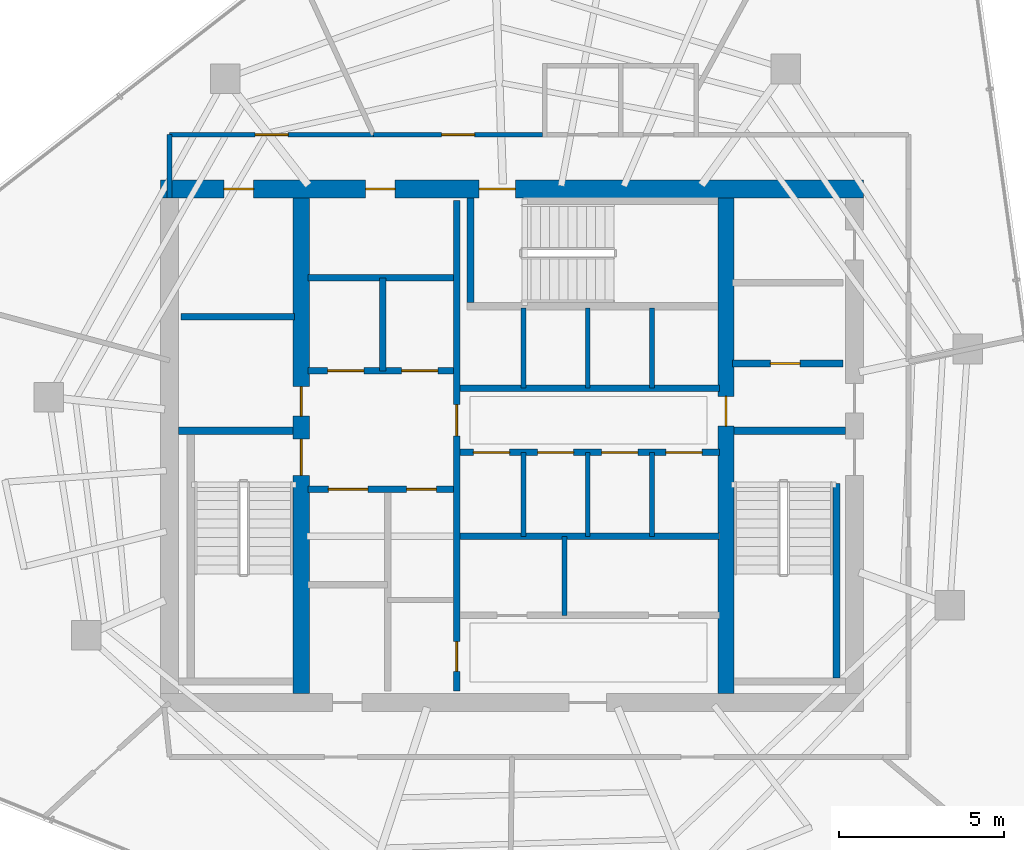
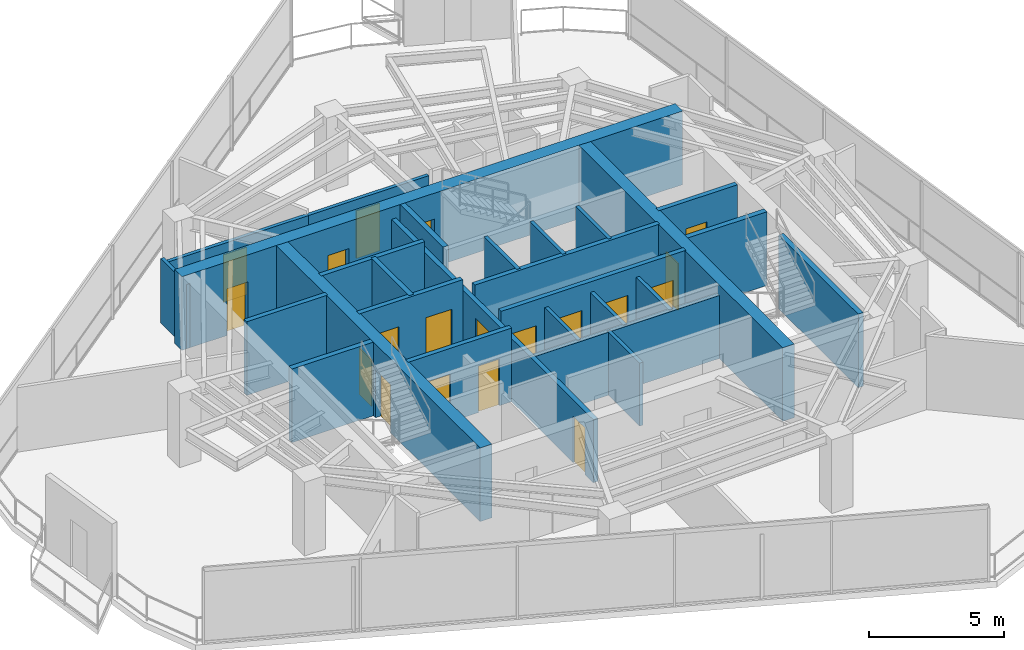
# One storey, part 16 of 19: 27 walls, 19 doors, 19 openings.
"""IFC4 building model written with IfcOpenShell, lengths in metres."""

from ifc_helpers import new_model, si_unit, direction, frame, frame_2d, origin, place, context, subcontext, project, spatial, rectangle, extrude, material, layer, layer_set, type_object, element, fill, save


model = new_model("IFC4")

# Units and contexts
model_context = context("Model", 3, precision=1e-05, world=origin(), true_north=direction((0.0, 1.0)))
body_context = subcontext(model_context, "Body", "Model", "MODEL_VIEW")
ifc_project = project(units=[si_unit("LENGTHUNIT", "METRE"), si_unit("AREAUNIT", "SQUARE_METRE"), si_unit("VOLUMEUNIT", "CUBIC_METRE"), si_unit("PLANEANGLEUNIT", "RADIAN"), si_unit("MASSUNIT", "GRAM", prefix="KILO")], contexts=[model_context])

# Site, building, storey
site_placement = place(None, origin())
site = spatial("IfcSite", under=ifc_project, at=site_placement, CompositionType="ELEMENT")
building_placement = place(site_placement, origin())
building = spatial("IfcBuilding", under=site, at=building_placement, Name="Qarnah Convention Tower", CompositionType="ELEMENT")
storey_placement = place(building_placement, frame((0.0, 0.0, 209.39990234375)))
storey = spatial("IfcBuildingStorey", under=building, at=storey_placement, Name="L56", CompositionType="ELEMENT", Elevation=209.39990234375)

# Wall, openings, doors
ifc_material_1 = material(Name="Concrete C60/75", Category="concrete")
ifc_layer_1 = layer(ifc_material_1, 0.550048828125)
ifc_layer_set_1 = layer_set([ifc_layer_1], Name="Concrete C60/75")
wall_type_1 = type_object("IfcWallType", Name="WL-CORE-550", PredefinedType="SHEAR", material=ifc_layer_set_1)
wall_1_placement = place(storey_placement, frame((26.52490234375, 34.199951171875, 0.0), z_axis=(0.0, 0.0, 1.0), x_axis=(1.0, 0.0, 0.0)))
wall_1 = element("IfcWall", 1, at=wall_1_placement, inside=storey, type_object=wall_type_1, Name="L56 core north shear wall", PredefinedType="SHEAR", context=body_context, shape_type="SweptSolid", body=[
    extrude(rectangle(XDim=21.35009765625, YDim=0.550048828125, at=frame_2d((10.675048828125, 0.0))), origin(), (0.0, 0.0, 1.0), 3.320068359375),
])
opening_1_placement = place(wall_1_placement, frame((9.675048828125, 0.0, 0.0)))
opening_1 = element("IfcOpeningElement", 2, at=opening_1_placement, cuts=wall_1, Name="Opening D-5603", PredefinedType="OPENING", context=body_context, shape_type="SweptSolid", body=[
    extrude(rectangle(XDim=1.10009765625, YDim=2.14990234375, at=frame_2d((0.550048828125, 1.074951171875))), frame((0.0, 0.284912109375, 0.0), z_axis=(0.0, -1.0, 0.0), x_axis=(1.0, 0.0, 0.0)), (0.0, 0.0, 1.0), 0.570068359375),
])
opening_2_placement = place(wall_1_placement, frame((1.925048828125, 0.0, 0.0)))
opening_2 = element("IfcOpeningElement", 3, at=opening_2_placement, cuts=wall_1, Name="Opening D-5609", PredefinedType="OPENING", context=body_context, shape_type="SweptSolid", body=[
    extrude(rectangle(XDim=0.89990234375, YDim=2.10009765625, at=frame_2d((0.449951171875, 1.050048828125))), frame((0.0, 0.284912109375, 0.0), z_axis=(0.0, -1.0, 0.0), x_axis=(1.0, 0.0, 0.0)), (0.0, 0.0, 1.0), 0.570068359375),
])
opening_3_placement = place(wall_1_placement, frame((6.22509765625, 0.0, 0.0)))
opening_3 = element("IfcOpeningElement", 4, at=opening_3_placement, cuts=wall_1, Name="Opening D-5610", PredefinedType="OPENING", context=body_context, shape_type="SweptSolid", body=[
    extrude(rectangle(XDim=0.89990234375, YDim=2.10009765625, at=frame_2d((0.449951171875, 1.050048828125))), frame((0.0, 0.284912109375, 0.0), z_axis=(0.0, -1.0, 0.0), x_axis=(1.0, 0.0, 0.0)), (0.0, 0.0, 1.0), 0.570068359375),
])
ifc_material_2 = material(Name="Structural steel S355JR", Category="steel")
door_type_1 = type_object("IfcDoorType", Name="DT-RISER-900", OperationType="NOTDEFINED", PredefinedType="DOOR", material=ifc_material_2)
door_1_placement = place(opening_2_placement, origin())
door_1 = element("IfcDoor", 5, at=door_1_placement, inside=storey, type_object=door_type_1, Name="Door D-5609", OperationType="SINGLE_SWING_LEFT", OverallHeight=2.10009765625, OverallWidth=0.89990234375, PredefinedType="DOOR", context=body_context, shape_type="SweptSolid", body=[
    extrude(rectangle(XDim=0.89990234375, YDim=2.10009765625, at=frame_2d((0.449951171875, 1.050048828125))), frame((0.0, 0.02490234375, 0.0), z_axis=(0.0, -1.0, 0.0), x_axis=(1.0, 0.0, 0.0)), (0.0, 0.0, 1.0), 0.050048828125),
])
fill(opening_2, door_1)
door_2_placement = place(opening_3_placement, origin())
door_2 = element("IfcDoor", 6, at=door_2_placement, inside=storey, type_object=door_type_1, Name="Door D-5610", OperationType="SINGLE_SWING_RIGHT", OverallHeight=2.10009765625, OverallWidth=0.89990234375, PredefinedType="DOOR", context=body_context, shape_type="SweptSolid", body=[
    extrude(rectangle(XDim=0.89990234375, YDim=2.10009765625, at=frame_2d((0.449951171875, 1.050048828125))), frame((0.0, 0.02490234375, 0.0), z_axis=(0.0, -1.0, 0.0), x_axis=(1.0, 0.0, 0.0)), (0.0, 0.0, 1.0), 0.050048828125),
])
fill(opening_3, door_2)
door_type_2 = type_object("IfcDoorType", Name="DT-STAIR-1100", OperationType="NOTDEFINED", PredefinedType="DOOR", material=ifc_material_2)
door_3_placement = place(opening_1_placement, origin())
door_3 = element("IfcDoor", 7, at=door_3_placement, inside=storey, type_object=door_type_2, Name="Door D-5603", OperationType="SINGLE_SWING_LEFT", OverallHeight=2.14990234375, OverallWidth=1.10009765625, PredefinedType="DOOR", context=body_context, shape_type="SweptSolid", body=[
    extrude(rectangle(XDim=1.10009765625, YDim=2.14990234375, at=frame_2d((0.550048828125, 1.074951171875))), frame((0.0, 0.02490234375, 0.0), z_axis=(0.0, -1.0, 0.0), x_axis=(1.0, 0.0, 0.0)), (0.0, 0.0, 1.0), 0.050048828125),
])
fill(opening_1, door_3)

ifc_layer_2 = layer(ifc_material_1, 0.5)
ifc_layer_set_2 = layer_set([ifc_layer_2], Name="Concrete C60/75")
wall_type_2 = type_object("IfcWallType", Name="WL-CORE-INT-400", PredefinedType="SHEAR", material=ifc_layer_set_2)
wall_2_placement = place(storey_placement, frame((30.800048828125, 18.875, 0.0), z_axis=(0.0, 0.0, 1.0), x_axis=(0.0, 1.0, 0.0)))
wall_2 = element("IfcWall", 8, at=wall_2_placement, inside=storey, type_object=wall_type_2, Name="L56 core west spine shear wall", PredefinedType="SHEAR", context=body_context, shape_type="SweptSolid", body=[
    extrude(rectangle(XDim=15.050048828125, YDim=0.5, at=frame_2d((7.52490234375, 0.0))), origin(), (0.0, 0.0, 1.0), 3.320068359375),
])
opening_4_placement = place(wall_2_placement, frame((6.625, 0.0, 0.0)))
opening_4 = element("IfcOpeningElement", 9, at=opening_4_placement, cuts=wall_2, Name="Opening D-5601", PredefinedType="OPENING", context=body_context, shape_type="SweptSolid", body=[
    extrude(rectangle(XDim=1.10009765625, YDim=2.14990234375, at=frame_2d((0.550048828125, 1.074951171875))), frame((0.0, 0.260009765625, 0.0), z_axis=(0.0, -1.0, 0.0), x_axis=(1.0, 0.0, 0.0)), (0.0, 0.0, 1.0), 0.52001953125),
])
opening_5_placement = place(wall_2_placement, frame((8.425048828125, 0.0, 0.0)))
opening_5 = element("IfcOpeningElement", 10, at=opening_5_placement, cuts=wall_2, Name="Opening D-5608", PredefinedType="OPENING", context=body_context, shape_type="SweptSolid", body=[
    extrude(rectangle(XDim=0.89990234375, YDim=2.10009765625, at=frame_2d((0.449951171875, 1.050048828125))), frame((0.0, 0.260009765625, 0.0), z_axis=(0.0, -1.0, 0.0), x_axis=(1.0, 0.0, 0.0)), (0.0, 0.0, 1.0), 0.52001953125),
])
door_4_placement = place(opening_5_placement, origin())
door_4 = element("IfcDoor", 11, at=door_4_placement, inside=storey, type_object=door_type_1, Name="Door D-5608", OperationType="SINGLE_SWING_RIGHT", OverallHeight=2.10009765625, OverallWidth=0.89990234375, PredefinedType="DOOR", context=body_context, shape_type="SweptSolid", body=[
    extrude(rectangle(XDim=0.89990234375, YDim=2.10009765625, at=frame_2d((0.449951171875, 1.050048828125))), frame((0.0, 0.02490234375, 0.0), z_axis=(0.0, -1.0, 0.0), x_axis=(1.0, 0.0, 0.0)), (0.0, 0.0, 1.0), 0.050048828125),
])
fill(opening_5, door_4)
door_5_placement = place(opening_4_placement, origin())
door_5 = element("IfcDoor", 12, at=door_5_placement, inside=storey, type_object=door_type_2, Name="Door D-5601", OperationType="SINGLE_SWING_LEFT", OverallHeight=2.14990234375, OverallWidth=1.10009765625, PredefinedType="DOOR", context=body_context, shape_type="SweptSolid", body=[
    extrude(rectangle(XDim=1.10009765625, YDim=2.14990234375, at=frame_2d((0.550048828125, 1.074951171875))), frame((0.0, 0.02490234375, 0.0), z_axis=(0.0, -1.0, 0.0), x_axis=(1.0, 0.0, 0.0)), (0.0, 0.0, 1.0), 0.050048828125),
])
fill(opening_4, door_5)

# Wall, opening, door
wall_3_placement = place(storey_placement, frame((43.699951171875, 18.875, 0.0), z_axis=(0.0, 0.0, 1.0), x_axis=(0.0, 1.0, 0.0)))
wall_3 = element("IfcWall", 13, at=wall_3_placement, inside=storey, type_object=wall_type_2, Name="L56 core east spine shear wall", PredefinedType="SHEAR", context=body_context, shape_type="SweptSolid", body=[
    extrude(rectangle(XDim=15.050048828125, YDim=0.5, at=frame_2d((7.52490234375, 0.0))), origin(), (0.0, 0.0, 1.0), 3.320068359375),
])
opening_6_placement = place(wall_3_placement, frame((8.125, 0.0, 0.0)))
opening_6 = element("IfcOpeningElement", 14, at=opening_6_placement, cuts=wall_3, Name="Opening D-5605", PredefinedType="OPENING", context=body_context, shape_type="SweptSolid", body=[
    extrude(rectangle(XDim=0.89990234375, YDim=2.10009765625, at=frame_2d((0.449951171875, 1.050048828125))), frame((0.0, 0.260009765625, 0.0), z_axis=(0.0, -1.0, 0.0), x_axis=(1.0, 0.0, 0.0)), (0.0, 0.0, 1.0), 0.52001953125),
])
door_6_placement = place(opening_6_placement, origin())
door_6 = element("IfcDoor", 15, at=door_6_placement, inside=storey, type_object=door_type_1, Name="Door D-5605", OperationType="SINGLE_SWING_LEFT", OverallHeight=2.10009765625, OverallWidth=0.89990234375, PredefinedType="DOOR", context=body_context, shape_type="SweptSolid", body=[
    extrude(rectangle(XDim=0.89990234375, YDim=2.10009765625, at=frame_2d((0.449951171875, 1.050048828125))), frame((0.0, 0.02490234375, 0.0), z_axis=(0.0, -1.0, 0.0), x_axis=(1.0, 0.0, 0.0)), (0.0, 0.0, 1.0), 0.050048828125),
])
fill(opening_6, door_6)

# Wall
ifc_material_3 = material(Name="Concrete C45/55", Category="concrete")
ifc_layer_3 = layer(ifc_material_3, 0.199951171875)
ifc_layer_set_3 = layer_set([ifc_layer_3], Name="Concrete C45/55")
wall_type_3 = type_object("IfcWallType", Name="WL-CORE-PART-200", PredefinedType="SOLIDWALL", material=ifc_layer_set_3)
wall_4_placement = place(storey_placement, frame((27.14990234375, 30.320068359375, 0.0), z_axis=(0.0, 0.0, 1.0), x_axis=(1.0, 0.0, 0.0)))
element("IfcWall", 16, at=wall_4_placement, inside=storey, type_object=wall_type_3, Name="L56 interior wall IW-L56-ELRN", PredefinedType="SOLIDWALL", context=body_context, shape_type="SweptSolid", body=[
    extrude(rectangle(XDim=3.4501953125, YDim=0.199951171875, at=frame_2d((1.72509765625, 0.0))), origin(), (0.0, 0.0, 1.0), 3.320068359375),
])

# Wall, opening, door
wall_5_placement = place(storey_placement, frame((43.89990234375, 28.89990234375, 0.0), z_axis=(0.0, 0.0, 1.0), x_axis=(1.0, 0.0, 0.0)))
wall_5 = element("IfcWall", 17, at=wall_5_placement, inside=storey, type_object=wall_type_3, Name="L56 interior wall IW-L56-EVSTN", PredefinedType="SOLIDWALL", context=body_context, shape_type="SweptSolid", body=[
    extrude(rectangle(XDim=3.35009765625, YDim=0.199951171875, at=frame_2d((1.675048828125, 0.0))), origin(), (0.0, 0.0, 1.0), 3.320068359375),
])
opening_7_placement = place(wall_5_placement, frame((1.14990234375, 0.0, 0.0)))
opening_7 = element("IfcOpeningElement", 18, at=opening_7_placement, cuts=wall_5, Name="Opening D-5611", PredefinedType="OPENING", context=body_context, shape_type="SweptSolid", body=[
    extrude(rectangle(XDim=0.89990234375, YDim=2.10009765625, at=frame_2d((0.449951171875, 1.050048828125))), frame((0.0, 0.10986328125, 0.0), z_axis=(0.0, -1.0, 0.0), x_axis=(1.0, 0.0, 0.0)), (0.0, 0.0, 1.0), 0.219970703125),
])
door_7_placement = place(opening_7_placement, origin())
door_7 = element("IfcDoor", 19, at=door_7_placement, inside=storey, type_object=door_type_1, Name="Door D-5611", OperationType="SINGLE_SWING_LEFT", OverallHeight=2.10009765625, OverallWidth=0.89990234375, PredefinedType="DOOR", context=body_context, shape_type="SweptSolid", body=[
    extrude(rectangle(XDim=0.89990234375, YDim=2.10009765625, at=frame_2d((0.449951171875, 1.050048828125))), frame((0.0, 0.02490234375, 0.0), z_axis=(0.0, -1.0, 0.0), x_axis=(1.0, 0.0, 0.0)), (0.0, 0.0, 1.0), 0.050048828125),
])
fill(opening_7, door_7)

# Wall, openings, doors
wall_6_placement = place(storey_placement, frame((35.52001953125, 18.949951171875, 0.0), z_axis=(0.0, 0.0, 1.0), x_axis=(0.0, 1.0, 0.0)))
wall_6 = element("IfcWall", 20, at=wall_6_placement, inside=storey, type_object=wall_type_3, Name="L56 interior wall IW-L56-CSP", PredefinedType="SOLIDWALL", context=body_context, shape_type="SweptSolid", body=[
    extrude(rectangle(XDim=14.900146484375, YDim=0.199951171875, at=frame_2d((7.4501953125, 0.0))), origin(), (0.0, 0.0, 1.0), 2.841064453125),
])
opening_8_placement = place(wall_6_placement, frame((7.7548828125, 0.0, 0.0)))
opening_8 = element("IfcOpeningElement", 21, at=opening_8_placement, cuts=wall_6, Name="Opening D-5604", PredefinedType="OPENING", context=body_context, shape_type="SweptSolid", body=[
    extrude(rectangle(XDim=0.949951171875, YDim=2.14990234375, at=frame_2d((0.47509765625, 1.074951171875))), frame((0.0, 0.10986328125, 0.0), z_axis=(0.0, -1.0, 0.0), x_axis=(1.0, 0.0, 0.0)), (0.0, 0.0, 1.0), 0.219970703125),
])
opening_9_placement = place(wall_6_placement, frame((0.60009765625, 0.0, 0.0)))
opening_9 = element("IfcOpeningElement", 22, at=opening_9_placement, cuts=wall_6, Name="Opening D-5614", PredefinedType="OPENING", context=body_context, shape_type="SweptSolid", body=[
    extrude(rectangle(XDim=0.89990234375, YDim=2.10009765625, at=frame_2d((0.449951171875, 1.050048828125))), frame((0.0, 0.10986328125, 0.0), z_axis=(0.0, -1.0, 0.0), x_axis=(1.0, 0.0, 0.0)), (0.0, 0.0, 1.0), 0.219970703125),
])
ifc_material_4 = material(Name="Oak timber veneer", Category="wood")
door_type_3 = type_object("IfcDoorType", Name="DT-HOTEL-950", OperationType="NOTDEFINED", PredefinedType="DOOR", material=ifc_material_4)
door_8_placement = place(opening_8_placement, origin())
door_8 = element("IfcDoor", 23, at=door_8_placement, inside=storey, type_object=door_type_3, Name="Door D-5604", OperationType="SINGLE_SWING_RIGHT", OverallHeight=2.14990234375, OverallWidth=0.949951171875, PredefinedType="DOOR", context=body_context, shape_type="SweptSolid", body=[
    extrude(rectangle(XDim=0.949951171875, YDim=2.14990234375, at=frame_2d((0.47509765625, 1.074951171875))), frame((0.0, 0.02490234375, 0.0), z_axis=(0.0, -1.0, 0.0), x_axis=(1.0, 0.0, 0.0)), (0.0, 0.0, 1.0), 0.050048828125),
])
fill(opening_8, door_8)
door_9_placement = place(opening_9_placement, origin())
door_9 = element("IfcDoor", 24, at=door_9_placement, inside=storey, type_object=door_type_1, Name="Door D-5614", OperationType="SINGLE_SWING_RIGHT", OverallHeight=2.10009765625, OverallWidth=0.89990234375, PredefinedType="DOOR", context=body_context, shape_type="SweptSolid", body=[
    extrude(rectangle(XDim=0.89990234375, YDim=2.10009765625, at=frame_2d((0.449951171875, 1.050048828125))), frame((0.0, 0.02490234375, 0.0), z_axis=(0.0, -1.0, 0.0), x_axis=(1.0, 0.0, 0.0)), (0.0, 0.0, 1.0), 0.050048828125),
])
fill(opening_9, door_9)

wall_7_placement = place(storey_placement, frame((31.0, 28.679931640625, 0.0), z_axis=(0.0, 0.0, 1.0), x_axis=(1.0, 0.0, 0.0)))
wall_7 = element("IfcWall", 25, at=wall_7_placement, inside=storey, type_object=wall_type_3, Name="L56 interior wall IW-L56-FFLS", PredefinedType="SOLIDWALL", context=body_context, shape_type="SweptSolid", body=[
    extrude(rectangle(XDim=4.419921875, YDim=0.199951171875, at=frame_2d((2.2099609375, 0.0))), origin(), (0.0, 0.0, 1.0), 3.320068359375),
])
opening_10_placement = place(wall_7_placement, frame((0.60009765625, 0.0, 0.0)))
opening_10 = element("IfcOpeningElement", 26, at=opening_10_placement, cuts=wall_7, Name="Opening LD-5601", PredefinedType="OPENING", context=body_context, shape_type="SweptSolid", body=[
    extrude(rectangle(XDim=1.10009765625, YDim=2.14990234375, at=frame_2d((0.550048828125, 1.074951171875))), frame((0.0, 0.10986328125, 0.0), z_axis=(0.0, -1.0, 0.0), x_axis=(1.0, 0.0, 0.0)), (0.0, 0.0, 1.0), 0.219970703125),
])
opening_11_placement = place(wall_7_placement, frame((2.85009765625, 0.0, 0.0)))
opening_11 = element("IfcOpeningElement", 27, at=opening_11_placement, cuts=wall_7, Name="Opening LD-5602", PredefinedType="OPENING", context=body_context, shape_type="SweptSolid", body=[
    extrude(rectangle(XDim=1.10009765625, YDim=2.14990234375, at=frame_2d((0.550048828125, 1.074951171875))), frame((0.0, 0.10986328125, 0.0), z_axis=(0.0, -1.0, 0.0), x_axis=(1.0, 0.0, 0.0)), (0.0, 0.0, 1.0), 0.219970703125),
])
door_type_4 = type_object("IfcDoorType", Name="DT-LIFT-1100", OperationType="SLIDING_TO_LEFT", PredefinedType="DOOR", material=ifc_material_2)
door_10_placement = place(opening_10_placement, origin())
door_10 = element("IfcDoor", 28, at=door_10_placement, inside=storey, type_object=door_type_4, Name="Door LD-5601", OperationType="SLIDING_TO_LEFT", OverallHeight=2.14990234375, OverallWidth=1.10009765625, PredefinedType="DOOR", context=body_context, shape_type="SweptSolid", body=[
    extrude(rectangle(XDim=1.10009765625, YDim=2.14990234375, at=frame_2d((0.550048828125, 1.074951171875))), frame((0.0, 0.02490234375, 0.0), z_axis=(0.0, -1.0, 0.0), x_axis=(1.0, 0.0, 0.0)), (0.0, 0.0, 1.0), 0.050048828125),
])
fill(opening_10, door_10)
door_11_placement = place(opening_11_placement, origin())
door_11 = element("IfcDoor", 29, at=door_11_placement, inside=storey, type_object=door_type_4, Name="Door LD-5602", OperationType="SLIDING_TO_LEFT", OverallHeight=2.14990234375, OverallWidth=1.10009765625, PredefinedType="DOOR", context=body_context, shape_type="SweptSolid", body=[
    extrude(rectangle(XDim=1.10009765625, YDim=2.14990234375, at=frame_2d((0.550048828125, 1.074951171875))), frame((0.0, 0.02490234375, 0.0), z_axis=(0.0, -1.0, 0.0), x_axis=(1.0, 0.0, 0.0)), (0.0, 0.0, 1.0), 0.050048828125),
])
fill(opening_11, door_11)

# Walls
wall_8_placement = place(storey_placement, frame((31.0, 31.5, 0.0), z_axis=(0.0, 0.0, 1.0), x_axis=(1.0, 0.0, 0.0)))
element("IfcWall", 30, at=wall_8_placement, inside=storey, type_object=wall_type_3, Name="L56 interior wall IW-L56-FFLN", PredefinedType="SOLIDWALL", context=body_context, shape_type="SweptSolid", body=[
    extrude(rectangle(XDim=4.419921875, YDim=0.199951171875, at=frame_2d((2.2099609375, 0.0))), origin(), (0.0, 0.0, 1.0), 3.320068359375),
])
wall_9_placement = place(storey_placement, frame((33.280029296875, 28.679931640625, 0.0), z_axis=(0.0, 0.0, 1.0), x_axis=(0.0, 1.0, 0.0)))
element("IfcWall", 31, at=wall_9_placement, inside=storey, type_object=wall_type_3, Name="L56 interior wall IW-L56-FFLM", PredefinedType="SOLIDWALL", context=body_context, shape_type="SweptSolid", body=[
    extrude(rectangle(XDim=2.820068359375, YDim=0.199951171875, at=frame_2d((1.41015625, 0.0))), origin(), (0.0, 0.0, 1.0), 3.320068359375),
])

# Wall, openings, doors
wall_10_placement = place(storey_placement, frame((31.0, 25.080078125, 0.0), z_axis=(0.0, 0.0, 1.0), x_axis=(1.0, 0.0, 0.0)))
wall_10 = element("IfcWall", 32, at=wall_10_placement, inside=storey, type_object=wall_type_3, Name="L56 interior wall IW-L56-FFLBS", PredefinedType="SOLIDWALL", context=body_context, shape_type="SweptSolid", body=[
    extrude(rectangle(XDim=4.419921875, YDim=0.199951171875, at=frame_2d((2.2099609375, 0.0))), origin(), (0.0, 0.0, 1.0), 3.320068359375),
])
opening_12_placement = place(wall_10_placement, frame((3.0, 0.0, 0.0)))
opening_12 = element("IfcOpeningElement", 33, at=opening_12_placement, cuts=wall_10, Name="Opening D-5615", PredefinedType="OPENING", context=body_context, shape_type="SweptSolid", body=[
    extrude(rectangle(XDim=0.89990234375, YDim=2.10009765625, at=frame_2d((0.449951171875, 1.050048828125))), frame((0.0, 0.10986328125, 0.0), z_axis=(0.0, -1.0, 0.0), x_axis=(1.0, 0.0, 0.0)), (0.0, 0.0, 1.0), 0.219970703125),
])
opening_13_placement = place(wall_10_placement, frame((0.6201171875, 0.0, 0.0)))
opening_13 = element("IfcOpeningElement", 34, at=opening_13_placement, cuts=wall_10, Name="Opening LD-5603", PredefinedType="OPENING", context=body_context, shape_type="SweptSolid", body=[
    extrude(rectangle(XDim=1.199951171875, YDim=2.14990234375, at=frame_2d((0.60009765625, 1.074951171875))), frame((0.0, 0.10986328125, 0.0), z_axis=(0.0, -1.0, 0.0), x_axis=(1.0, 0.0, 0.0)), (0.0, 0.0, 1.0), 0.219970703125),
])
door_type_5 = type_object("IfcDoorType", Name="DT-LIFT-1200", OperationType="SLIDING_TO_LEFT", PredefinedType="DOOR", material=ifc_material_2)
door_12_placement = place(opening_13_placement, origin())
door_12 = element("IfcDoor", 35, at=door_12_placement, inside=storey, type_object=door_type_5, Name="Door LD-5603", OperationType="SLIDING_TO_LEFT", OverallHeight=2.14990234375, OverallWidth=1.199951171875, PredefinedType="DOOR", context=body_context, shape_type="SweptSolid", body=[
    extrude(rectangle(XDim=1.199951171875, YDim=2.14990234375, at=frame_2d((0.60009765625, 1.074951171875))), frame((0.0, 0.02490234375, 0.0), z_axis=(0.0, -1.0, 0.0), x_axis=(1.0, 0.0, 0.0)), (0.0, 0.0, 1.0), 0.050048828125),
])
fill(opening_13, door_12)
door_13_placement = place(opening_12_placement, origin())
door_13 = element("IfcDoor", 36, at=door_13_placement, inside=storey, type_object=door_type_1, Name="Door D-5615", OperationType="SINGLE_SWING_LEFT", OverallHeight=2.10009765625, OverallWidth=0.89990234375, PredefinedType="DOOR", context=body_context, shape_type="SweptSolid", body=[
    extrude(rectangle(XDim=0.89990234375, YDim=2.10009765625, at=frame_2d((0.449951171875, 1.050048828125))), frame((0.0, 0.02490234375, 0.0), z_axis=(0.0, -1.0, 0.0), x_axis=(1.0, 0.0, 0.0)), (0.0, 0.0, 1.0), 0.050048828125),
])
fill(opening_12, door_13)

# Wall
wall_11_placement = place(storey_placement, frame((35.6201171875, 28.14990234375, 0.0), z_axis=(0.0, 0.0, 1.0), x_axis=(1.0, 0.0, 0.0)))
element("IfcWall", 37, at=wall_11_placement, inside=storey, type_object=wall_type_3, Name="L56 interior wall IW-L56-PHS", PredefinedType="SOLIDWALL", context=body_context, shape_type="SweptSolid", body=[
    extrude(rectangle(XDim=7.8798828125, YDim=0.199951171875, at=frame_2d((3.93994140625, 0.0))), origin(), (0.0, 0.0, 1.0), 3.320068359375),
])

# Wall, openings, doors
wall_12_placement = place(storey_placement, frame((35.6201171875, 26.199951171875, 0.0), z_axis=(0.0, 0.0, 1.0), x_axis=(1.0, 0.0, 0.0)))
wall_12 = element("IfcWall", 38, at=wall_12_placement, inside=storey, type_object=wall_type_3, Name="L56 interior wall IW-L56-PMN", PredefinedType="SOLIDWALL", context=body_context, shape_type="SweptSolid", body=[
    extrude(rectangle(XDim=7.8798828125, YDim=0.199951171875, at=frame_2d((3.93994140625, 0.0))), origin(), (0.0, 0.0, 1.0), 3.320068359375),
])
opening_14_placement = place(wall_12_placement, frame((0.405029296875, 0.0, 0.0)))
opening_14 = element("IfcOpeningElement", 39, at=opening_14_placement, cuts=wall_12, Name="Opening LD-5604", PredefinedType="OPENING", context=body_context, shape_type="SweptSolid", body=[
    extrude(rectangle(XDim=1.10009765625, YDim=2.14990234375, at=frame_2d((0.550048828125, 1.074951171875))), frame((0.0, 0.10986328125, 0.0), z_axis=(0.0, -1.0, 0.0), x_axis=(1.0, 0.0, 0.0)), (0.0, 0.0, 1.0), 0.219970703125),
])
opening_15_placement = place(wall_12_placement, frame((2.35498046875, 0.0, 0.0)))
opening_15 = element("IfcOpeningElement", 40, at=opening_15_placement, cuts=wall_12, Name="Opening LD-5605", PredefinedType="OPENING", context=body_context, shape_type="SweptSolid", body=[
    extrude(rectangle(XDim=1.10009765625, YDim=2.14990234375, at=frame_2d((0.550048828125, 1.074951171875))), frame((0.0, 0.10986328125, 0.0), z_axis=(0.0, -1.0, 0.0), x_axis=(1.0, 0.0, 0.0)), (0.0, 0.0, 1.0), 0.219970703125),
])
opening_16_placement = place(wall_12_placement, frame((4.304931640625, 0.0, 0.0)))
opening_16 = element("IfcOpeningElement", 41, at=opening_16_placement, cuts=wall_12, Name="Opening LD-5606", PredefinedType="OPENING", context=body_context, shape_type="SweptSolid", body=[
    extrude(rectangle(XDim=1.10009765625, YDim=2.14990234375, at=frame_2d((0.550048828125, 1.074951171875))), frame((0.0, 0.10986328125, 0.0), z_axis=(0.0, -1.0, 0.0), x_axis=(1.0, 0.0, 0.0)), (0.0, 0.0, 1.0), 0.219970703125),
])
opening_17_placement = place(wall_12_placement, frame((6.2548828125, 0.0, 0.0)))
opening_17 = element("IfcOpeningElement", 42, at=opening_17_placement, cuts=wall_12, Name="Opening LD-5607", PredefinedType="OPENING", context=body_context, shape_type="SweptSolid", body=[
    extrude(rectangle(XDim=1.10009765625, YDim=2.14990234375, at=frame_2d((0.550048828125, 1.074951171875))), frame((0.0, 0.10986328125, 0.0), z_axis=(0.0, -1.0, 0.0), x_axis=(1.0, 0.0, 0.0)), (0.0, 0.0, 1.0), 0.219970703125),
])
door_14_placement = place(opening_14_placement, origin())
door_14 = element("IfcDoor", 43, at=door_14_placement, inside=storey, type_object=door_type_4, Name="Door LD-5604", OperationType="SLIDING_TO_LEFT", OverallHeight=2.14990234375, OverallWidth=1.10009765625, PredefinedType="DOOR", context=body_context, shape_type="SweptSolid", body=[
    extrude(rectangle(XDim=1.10009765625, YDim=2.14990234375, at=frame_2d((0.550048828125, 1.074951171875))), frame((0.0, 0.02490234375, 0.0), z_axis=(0.0, -1.0, 0.0), x_axis=(1.0, 0.0, 0.0)), (0.0, 0.0, 1.0), 0.050048828125),
])
fill(opening_14, door_14)
door_15_placement = place(opening_15_placement, origin())
door_15 = element("IfcDoor", 44, at=door_15_placement, inside=storey, type_object=door_type_4, Name="Door LD-5605", OperationType="SLIDING_TO_LEFT", OverallHeight=2.14990234375, OverallWidth=1.10009765625, PredefinedType="DOOR", context=body_context, shape_type="SweptSolid", body=[
    extrude(rectangle(XDim=1.10009765625, YDim=2.14990234375, at=frame_2d((0.550048828125, 1.074951171875))), frame((0.0, 0.02490234375, 0.0), z_axis=(0.0, -1.0, 0.0), x_axis=(1.0, 0.0, 0.0)), (0.0, 0.0, 1.0), 0.050048828125),
])
fill(opening_15, door_15)
door_16_placement = place(opening_16_placement, origin())
door_16 = element("IfcDoor", 45, at=door_16_placement, inside=storey, type_object=door_type_4, Name="Door LD-5606", OperationType="SLIDING_TO_LEFT", OverallHeight=2.14990234375, OverallWidth=1.10009765625, PredefinedType="DOOR", context=body_context, shape_type="SweptSolid", body=[
    extrude(rectangle(XDim=1.10009765625, YDim=2.14990234375, at=frame_2d((0.550048828125, 1.074951171875))), frame((0.0, 0.02490234375, 0.0), z_axis=(0.0, -1.0, 0.0), x_axis=(1.0, 0.0, 0.0)), (0.0, 0.0, 1.0), 0.050048828125),
])
fill(opening_16, door_16)
door_17_placement = place(opening_17_placement, origin())
door_17 = element("IfcDoor", 46, at=door_17_placement, inside=storey, type_object=door_type_4, Name="Door LD-5607", OperationType="SLIDING_TO_LEFT", OverallHeight=2.14990234375, OverallWidth=1.10009765625, PredefinedType="DOOR", context=body_context, shape_type="SweptSolid", body=[
    extrude(rectangle(XDim=1.10009765625, YDim=2.14990234375, at=frame_2d((0.550048828125, 1.074951171875))), frame((0.0, 0.02490234375, 0.0), z_axis=(0.0, -1.0, 0.0), x_axis=(1.0, 0.0, 0.0)), (0.0, 0.0, 1.0), 0.050048828125),
])
fill(opening_17, door_17)

# Walls
wall_13_placement = place(storey_placement, frame((35.6201171875, 23.64990234375, 0.0), z_axis=(0.0, 0.0, 1.0), x_axis=(1.0, 0.0, 0.0)))
element("IfcWall", 47, at=wall_13_placement, inside=storey, type_object=wall_type_3, Name="L56 interior wall IW-L56-PMPL", PredefinedType="SOLIDWALL", context=body_context, shape_type="SweptSolid", body=[
    extrude(rectangle(XDim=7.8798828125, YDim=0.199951171875, at=frame_2d((3.93994140625, 0.0))), origin(), (0.0, 0.0, 1.0), 2.841064453125),
])
ifc_layer_4 = layer(ifc_material_1, 0.219970703125)
ifc_layer_set_4 = layer_set([ifc_layer_4], Name="Concrete C60/75")
wall_type_4 = type_object("IfcWallType", Name="WL-CORE-STAIR-220", PredefinedType="SHEAR", material=ifc_layer_set_4)
wall_14_placement = place(storey_placement, frame((27.074951171875, 26.860107421875, 0.0), z_axis=(0.0, 0.0, 1.0), x_axis=(1.0, 0.0, 0.0)))
element("IfcWall", 48, at=wall_14_placement, inside=storey, type_object=wall_type_4, Name="L56 stair shaft shear wall SW-L56-ST1N", PredefinedType="SHEAR", context=body_context, shape_type="SweptSolid", body=[
    extrude(rectangle(XDim=3.47509765625, YDim=0.219970703125, at=frame_2d((1.737548828125, 0.0))), origin(), (0.0, 0.0, 1.0), 3.320068359375),
])
wall_15_placement = place(storey_placement, frame((43.949951171875, 26.860107421875, 0.0), z_axis=(0.0, 0.0, 1.0), x_axis=(1.0, 0.0, 0.0)))
element("IfcWall", 49, at=wall_15_placement, inside=storey, type_object=wall_type_4, Name="L56 stair shaft shear wall SW-L56-ST2N", PredefinedType="SHEAR", context=body_context, shape_type="SweptSolid", body=[
    extrude(rectangle(XDim=3.375, YDim=0.219970703125, at=frame_2d((1.6875, 0.0))), origin(), (0.0, 0.0, 1.0), 3.320068359375),
])
wall_16_placement = place(storey_placement, frame((47.06005859375, 19.35009765625, 0.0), z_axis=(0.0, 0.0, 1.0), x_axis=(0.0, 1.0, 0.0)))
element("IfcWall", 50, at=wall_16_placement, inside=storey, type_object=wall_type_4, Name="L56 stair shaft shear wall SW-L56-ST2E", PredefinedType="SHEAR", context=body_context, shape_type="SweptSolid", body=[
    extrude(rectangle(XDim=5.89990234375, YDim=0.219970703125, at=frame_2d((2.949951171875, 0.0))), origin(), (0.0, 0.0, 1.0), 3.320068359375),
])
wall_17_placement = place(storey_placement, frame((35.93994140625, 30.75, 0.0), z_axis=(0.0, 0.0, 1.0), x_axis=(0.0, 1.0, 0.0)))
element("IfcWall", 51, at=wall_17_placement, inside=storey, type_object=wall_type_4, Name="L56 stair shaft shear wall SW-L56-ST3W", PredefinedType="SHEAR", context=body_context, shape_type="SweptSolid", body=[
    extrude(rectangle(XDim=3.175048828125, YDim=0.219970703125, at=frame_2d((1.58740234375, 0.0))), origin(), (0.0, 0.0, 1.0), 3.320068359375),
])
ifc_material_5 = material(Name="Gypsum partition board")
ifc_layer_5 = layer(ifc_material_5, 0.14990234375)
ifc_layer_set_5 = layer_set([ifc_layer_5], Name="Gypsum partition board")
wall_type_5 = type_object("IfcWallType", Name="WL-SUITE-150", PredefinedType="PARTITIONING", material=ifc_layer_set_5)
for number, where, z_axis, x_axis, name in (
    (52, (37.550048828125, 28.14990234375, 0.0), (0.0, 0.0, 1.0), (0.0, 1.0, 0.0), "L56 interior wall IW-L56-PHD1"),
    (53, (39.5, 28.14990234375, 0.0), (0.0, 0.0, 1.0), (0.0, 1.0, 0.0), "L56 interior wall IW-L56-PHD2"),
    (54, (41.449951171875, 28.14990234375, 0.0), (0.0, 0.0, 1.0), (0.0, 1.0, 0.0), "L56 interior wall IW-L56-PHD3"),
):
    element("IfcWall", number, at=place(storey_placement, frame(where, z_axis=z_axis, x_axis=x_axis)), inside=storey, type_object=wall_type_5, Name=name, PredefinedType="PARTITIONING", context=body_context, shape_type="SweptSolid", body=[
        extrude(rectangle(XDim=2.43017578125, YDim=0.14990234375, at=frame_2d((1.215087890625, 0.0))), origin(), (0.0, 0.0, 1.0), 3.320068359375),
    ])
for number, where, z_axis, x_axis, name in (
    (55, (37.550048828125, 23.64990234375, 0.0), (0.0, 0.0, 1.0), (0.0, 1.0, 0.0), "L56 interior wall IW-L56-PMD1"),
    (56, (39.5, 23.64990234375, 0.0), (0.0, 0.0, 1.0), (0.0, 1.0, 0.0), "L56 interior wall IW-L56-PMD2"),
    (57, (41.449951171875, 23.64990234375, 0.0), (0.0, 0.0, 1.0), (0.0, 1.0, 0.0), "L56 interior wall IW-L56-PMD3"),
):
    element("IfcWall", number, at=place(storey_placement, frame(where, z_axis=z_axis, x_axis=x_axis)), inside=storey, type_object=wall_type_5, Name=name, PredefinedType="PARTITIONING", context=body_context, shape_type="SweptSolid", body=[
        extrude(rectangle(XDim=2.550048828125, YDim=0.14990234375, at=frame_2d((1.27490234375, 0.0))), origin(), (0.0, 0.0, 1.0), 2.841064453125),
    ])
wall_18_placement = place(storey_placement, frame((38.800048828125, 21.25, 0.0), z_axis=(0.0, 0.0, 1.0), x_axis=(0.0, 1.0, 0.0)))
element("IfcWall", 58, at=wall_18_placement, inside=storey, type_object=wall_type_5, Name="L56 interior wall IW-L56-PLFD", PredefinedType="PARTITIONING", context=body_context, shape_type="SweptSolid", body=[
    extrude(rectangle(XDim=2.39990234375, YDim=0.14990234375, at=frame_2d((1.199951171875, 0.0))), origin(), (0.0, 0.0, 1.0), 2.841064453125),
])

# Wall, opening, door
wall_19_placement = place(storey_placement, frame((32.992919921875, 35.85009765625, 0.0), z_axis=(0.0, 0.0, 1.0), x_axis=(1.0, 0.0, 0.0)))
wall_19 = element("IfcWall", 59, at=wall_19_placement, inside=storey, type_object=wall_type_5, Name="L56 interior wall IW-L56-R-15", PredefinedType="PARTITIONING", context=body_context, shape_type="SweptSolid", body=[
    extrude(rectangle(XDim=5.136962890625, YDim=0.14990234375, at=frame_2d((2.568359375, 0.0))), origin(), (0.0, 0.0, 1.0), 2.697021484375),
])
opening_18_placement = place(wall_19_placement, frame((2.068115234375, 0.0, 0.0)))
opening_18 = element("IfcOpeningElement", 60, at=opening_18_placement, cuts=wall_19, Name="Opening D-5621", PredefinedType="OPENING", context=body_context, shape_type="SweptSolid", body=[
    extrude(rectangle(XDim=1.0, YDim=2.14990234375, at=frame_2d((0.5, 1.074951171875))), frame((0.0, 0.0849609375, 0.0), z_axis=(0.0, -1.0, 0.0), x_axis=(1.0, 0.0, 0.0)), (0.0, 0.0, 1.0), 0.169921875),
])
door_type_6 = type_object("IfcDoorType", Name="DT-OFFICE-1000", OperationType="NOTDEFINED", PredefinedType="DOOR", material=ifc_material_4)
door_18_placement = place(opening_18_placement, origin())
door_18 = element("IfcDoor", 61, at=door_18_placement, inside=storey, type_object=door_type_6, Name="Door D-5621", OperationType="SINGLE_SWING_LEFT", OverallHeight=2.14990234375, OverallWidth=1.0, PredefinedType="DOOR", context=body_context, shape_type="SweptSolid", body=[
    extrude(rectangle(XDim=1.0, YDim=2.14990234375, at=frame_2d((0.5, 1.074951171875))), frame((0.0, 0.02490234375, 0.0), z_axis=(0.0, -1.0, 0.0), x_axis=(1.0, 0.0, 0.0)), (0.0, 0.0, 1.0), 0.050048828125),
])
fill(opening_18, door_18)

# Wall
wall_20_placement = place(storey_placement, frame((26.800048828125, 33.925048828125, 0.0), z_axis=(0.0, 0.0, 1.0), x_axis=(0.0, 1.0, 0.0)))
element("IfcWall", 62, at=wall_20_placement, inside=storey, type_object=wall_type_5, Name="L56 interior wall IW-L56-R-17", PredefinedType="PARTITIONING", context=body_context, shape_type="SweptSolid", body=[
    extrude(rectangle(XDim=1.925048828125, YDim=0.14990234375, at=frame_2d((0.96240234375, 0.0))), origin(), (0.0, 0.0, 1.0), 2.905029296875),
])

# Wall, opening, door
wall_21_placement = place(storey_placement, frame((26.800048828125, 35.85009765625, 0.0), z_axis=(0.0, 0.0, 1.0), x_axis=(1.0, 0.0, 0.0)))
wall_21 = element("IfcWall", 63, at=wall_21_placement, inside=storey, type_object=wall_type_5, Name="L56 interior wall IW-L56-R-18", PredefinedType="PARTITIONING", context=body_context, shape_type="SweptSolid", body=[
    extrude(rectangle(XDim=6.19287109375, YDim=0.14990234375, at=frame_2d((3.096435546875, 0.0))), origin(), (0.0, 0.0, 1.0), 2.697021484375),
])
opening_19_placement = place(wall_21_placement, frame((2.596923828125, 0.0, 0.0)))
opening_19 = element("IfcOpeningElement", 64, at=opening_19_placement, cuts=wall_21, Name="Opening D-5622", PredefinedType="OPENING", context=body_context, shape_type="SweptSolid", body=[
    extrude(rectangle(XDim=1.0, YDim=2.14990234375, at=frame_2d((0.5, 1.074951171875))), frame((0.0, 0.0849609375, 0.0), z_axis=(0.0, -1.0, 0.0), x_axis=(1.0, 0.0, 0.0)), (0.0, 0.0, 1.0), 0.169921875),
])
door_19_placement = place(opening_19_placement, origin())
door_19 = element("IfcDoor", 65, at=door_19_placement, inside=storey, type_object=door_type_6, Name="Door D-5622", OperationType="SINGLE_SWING_RIGHT", OverallHeight=2.14990234375, OverallWidth=1.0, PredefinedType="DOOR", context=body_context, shape_type="SweptSolid", body=[
    extrude(rectangle(XDim=1.0, YDim=2.14990234375, at=frame_2d((0.5, 1.074951171875))), frame((0.0, 0.02490234375, 0.0), z_axis=(0.0, -1.0, 0.0), x_axis=(1.0, 0.0, 0.0)), (0.0, 0.0, 1.0), 0.050048828125),
])
fill(opening_19, door_19)

save(model, "model.ifc")
